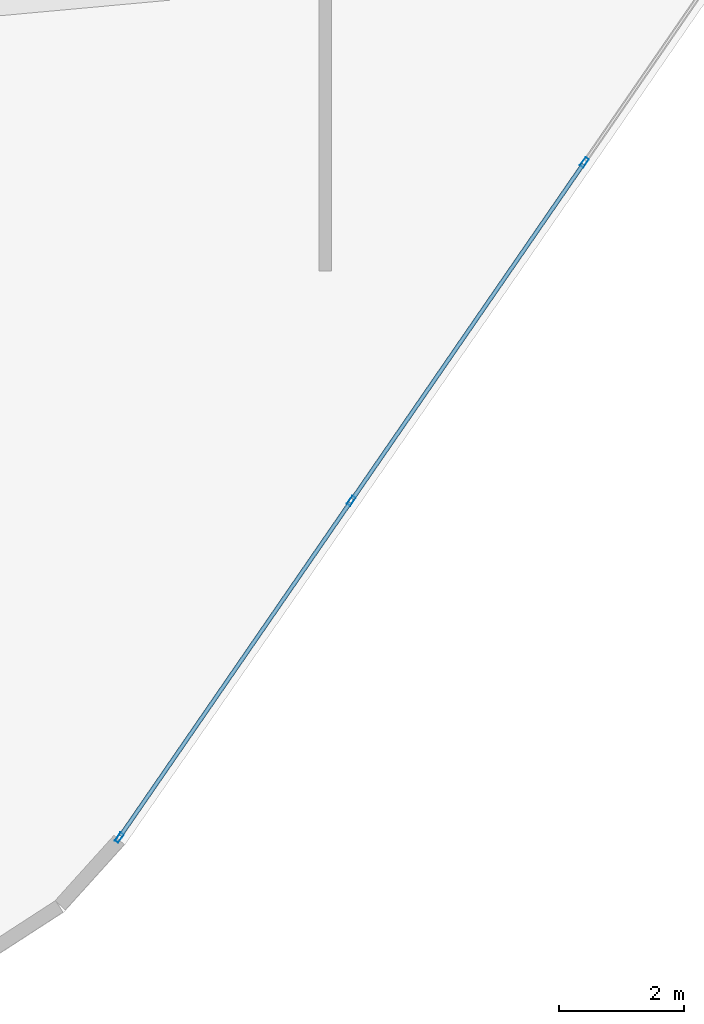
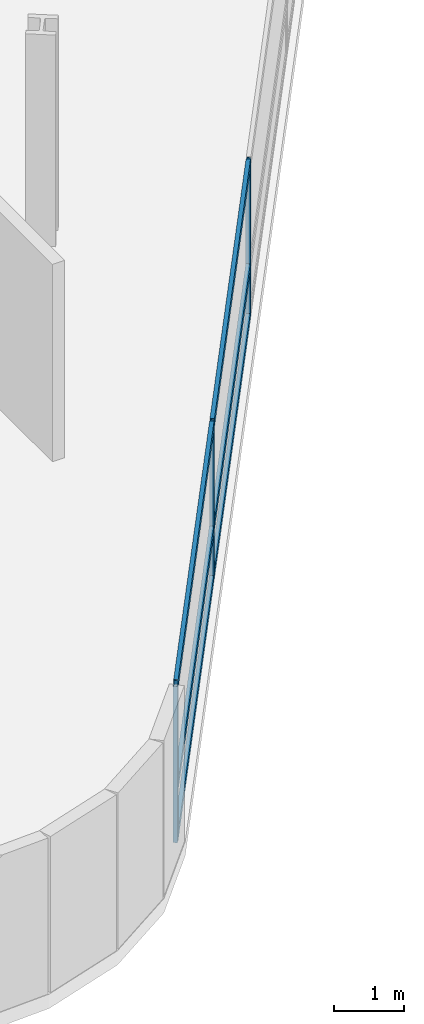
# One storey, part 6 of 25: 9 members, 1 element without a shape of its own.
"""IFC4 building model written with IfcOpenShell, lengths in metres."""

from ifc_helpers import new_model, si_unit, direction, frame, origin, origin_2d, place, context, subcontext, project, spatial, hollow_rectangle, extrude, material, layer, layer_set, material_profile, profile_set, type_object, element, aggregate, save


model = new_model("IFC4")

# Units and contexts
model_context = context("Model", 3, precision=1e-05, world=origin(), true_north=direction((0.0, 1.0)))
body_context = subcontext(model_context, "Body", "Model", "MODEL_VIEW")
ifc_project = project(units=[si_unit("LENGTHUNIT", "METRE"), si_unit("AREAUNIT", "SQUARE_METRE"), si_unit("VOLUMEUNIT", "CUBIC_METRE"), si_unit("PLANEANGLEUNIT", "RADIAN"), si_unit("MASSUNIT", "GRAM", prefix="KILO")], contexts=[model_context])

# Site, building, storey
site_placement = place(None, origin())
site = spatial("IfcSite", under=ifc_project, at=site_placement, CompositionType="ELEMENT")
building_placement = place(site_placement, origin())
building = spatial("IfcBuilding", under=site, at=building_placement, Name="Varnelok Gate Tower", CompositionType="ELEMENT")
storey_placement = place(building_placement, frame((0.0, 0.0, 52.89990234375)))
storey = spatial("IfcBuildingStorey", under=building, at=storey_placement, Name="L12", CompositionType="ELEMENT", Elevation=52.89990234375)

# Curtain wall, members
ifc_material = material(Name="Anodized Aluminum Alloy 6063-T6", Category="aluminium")
ifc_layer = layer(ifc_material, 0.179931640625)
ifc_layer_set = layer_set([ifc_layer], Name="Anodized Aluminum Alloy 6063-T6")
curtain_wall_type = type_object("IfcCurtainWallType", Name="CW3-HOTEL-VISION", PredefinedType="USERDEFINED", material=ifc_layer_set)
curtain_wall_placement = place(storey_placement, origin())
curtain_wall = element("IfcCurtainWall", 1, at=curtain_wall_placement, inside=storey, type_object=curtain_wall_type, Name="L12 East End Vision Curtain Wall", ObjectType="UNITISED CURTAIN WALL", PredefinedType="USERDEFINED")
ifc_material_profile_1 = material_profile(ifc_material, hollow_rectangle(XDim=0.06494140625, YDim=0.159912109375, WallThickness=0.00390625, at=origin_2d()), Name="ALU160X65X4")
ifc_profile_set_1 = profile_set([ifc_material_profile_1], Name="Anodized Aluminum Alloy 6063-T6")
member_type_1 = type_object("IfcMemberType", Name="CW-MULL-160", PredefinedType="MULLION", material=ifc_profile_set_1)
member_1_placement = place(storey_placement, frame((67.64208984375, -2.265380859375, 0.0), z_axis=(0.0, 0.0, 1.0), x_axis=(0.823532685111, -0.567268822124, 0.0)))
member_1 = element("IfcMember", 2, at=member_1_placement, type_object=member_type_1, Name="CW3 mullion 5", PredefinedType="MULLION", context=body_context, shape_type="SweptSolid", body=[
    extrude(hollow_rectangle(XDim=0.06494140625, YDim=0.159912109375, WallThickness=0.00390625, at=origin_2d()), origin(), (0.0, 0.0, 1.0), 2.72998046875),
])
member_2_placement = place(storey_placement, frame((63.9169921875, -7.67333984375, 0.0), z_axis=(0.0, 0.0, 1.0), x_axis=(0.823532685111, -0.567268822124, 0.0)))
member_2 = element("IfcMember", 3, at=member_2_placement, type_object=member_type_1, Name="CW3 mullion 6", PredefinedType="MULLION", context=body_context, shape_type="SweptSolid", body=[
    extrude(hollow_rectangle(XDim=0.06494140625, YDim=0.159912109375, WallThickness=0.00390625, at=origin_2d()), origin(), (0.0, 0.0, 1.0), 2.72998046875),
])
member_3_placement = place(storey_placement, frame((60.21044921875, -13.054443359375, 0.0), z_axis=(0.0, 0.0, 1.0), x_axis=(0.823532685111, -0.567268822124, 0.0)))
member_3 = element("IfcMember", 4, at=member_3_placement, type_object=member_type_1, Name="CW3 mullion 7", PredefinedType="MULLION", context=body_context, shape_type="SweptSolid", body=[
    extrude(hollow_rectangle(XDim=0.06494140625, YDim=0.159912109375, WallThickness=0.00390625, at=origin_2d()), origin(), (0.0, 0.0, 1.0), 2.72998046875),
])
ifc_material_profile_2 = material_profile(ifc_material, hollow_rectangle(XDim=0.06494140625, YDim=0.159912109375, WallThickness=0.00390625, at=origin_2d()), Name="ALU160X65X4")
ifc_profile_set_2 = profile_set([ifc_material_profile_2], Name="Anodized Aluminum Alloy 6063-T6")
member_type_2 = type_object("IfcMemberType", Name="CW-TRAN-160", PredefinedType="USERDEFINED", material=ifc_profile_set_2)
member_4_placement = place(storey_placement, frame((67.623779296875, -2.292236328125, 0.03271484375), z_axis=(-0.567279204469, -0.823525533409, 0.0), x_axis=(0.823525533409, -0.567279204469, 0.0)))
member_4 = element("IfcMember", 5, at=member_4_placement, type_object=member_type_2, Name="CW3 transom 5.1", ObjectType="TRANSOM", PredefinedType="USERDEFINED", context=body_context, shape_type="SweptSolid", body=[
    extrude(hollow_rectangle(XDim=0.06494140625, YDim=0.159912109375, WallThickness=0.00390625, at=origin_2d()), origin(), (0.0, 0.0, 1.0), 6.501708984375),
])
member_5_placement = place(storey_placement, frame((67.623779296875, -2.292236328125, 0.900146484375), z_axis=(-0.567279204469, -0.823525533409, 0.0), x_axis=(0.823525533409, -0.567279204469, 0.0)))
member_5 = element("IfcMember", 6, at=member_5_placement, type_object=member_type_2, Name="CW3 transom 5.2", ObjectType="TRANSOM", PredefinedType="USERDEFINED", context=body_context, shape_type="SweptSolid", body=[
    extrude(hollow_rectangle(XDim=0.06494140625, YDim=0.159912109375, WallThickness=0.00390625, at=origin_2d()), origin(), (0.0, 0.0, 1.0), 6.501708984375),
])
member_6_placement = place(storey_placement, frame((67.623779296875, -2.292236328125, 2.697509765625), z_axis=(-0.567279204469, -0.823525533409, 0.0), x_axis=(0.823525533409, -0.567279204469, 0.0)))
member_6 = element("IfcMember", 7, at=member_6_placement, type_object=member_type_2, Name="CW3 transom 5.3", ObjectType="TRANSOM", PredefinedType="USERDEFINED", context=body_context, shape_type="SweptSolid", body=[
    extrude(hollow_rectangle(XDim=0.06494140625, YDim=0.159912109375, WallThickness=0.00390625, at=origin_2d()), origin(), (0.0, 0.0, 1.0), 6.501708984375),
])
member_7_placement = place(storey_placement, frame((63.898681640625, -7.699951171875, 0.03271484375), z_axis=(-0.567281349446, -0.823524055854, 0.0), x_axis=(0.823524055854, -0.567281349446, 0.0)))
member_7 = element("IfcMember", 8, at=member_7_placement, type_object=member_type_2, Name="CW3 transom 6.1", ObjectType="TRANSOM", PredefinedType="USERDEFINED", context=body_context, shape_type="SweptSolid", body=[
    extrude(hollow_rectangle(XDim=0.06494140625, YDim=0.159912109375, WallThickness=0.00390625, at=origin_2d()), origin(), (0.0, 0.0, 1.0), 6.46923828125),
])
member_8_placement = place(storey_placement, frame((63.898681640625, -7.699951171875, 0.900146484375), z_axis=(-0.567281349446, -0.823524055854, 0.0), x_axis=(0.823524055854, -0.567281349446, 0.0)))
member_8 = element("IfcMember", 9, at=member_8_placement, type_object=member_type_2, Name="CW3 transom 6.2", ObjectType="TRANSOM", PredefinedType="USERDEFINED", context=body_context, shape_type="SweptSolid", body=[
    extrude(hollow_rectangle(XDim=0.06494140625, YDim=0.159912109375, WallThickness=0.00390625, at=origin_2d()), origin(), (0.0, 0.0, 1.0), 6.46923828125),
])
member_9_placement = place(storey_placement, frame((63.898681640625, -7.699951171875, 2.697509765625), z_axis=(-0.567281349446, -0.823524055854, 0.0), x_axis=(0.823524055854, -0.567281349446, 0.0)))
member_9 = element("IfcMember", 10, at=member_9_placement, type_object=member_type_2, Name="CW3 transom 6.3", ObjectType="TRANSOM", PredefinedType="USERDEFINED", context=body_context, shape_type="SweptSolid", body=[
    extrude(hollow_rectangle(XDim=0.06494140625, YDim=0.159912109375, WallThickness=0.00390625, at=origin_2d()), origin(), (0.0, 0.0, 1.0), 6.46923828125),
])
aggregate(curtain_wall, [member_1, member_2, member_3, member_4, member_5, member_6, member_7, member_8, member_9])

save(model, "model.ifc")
